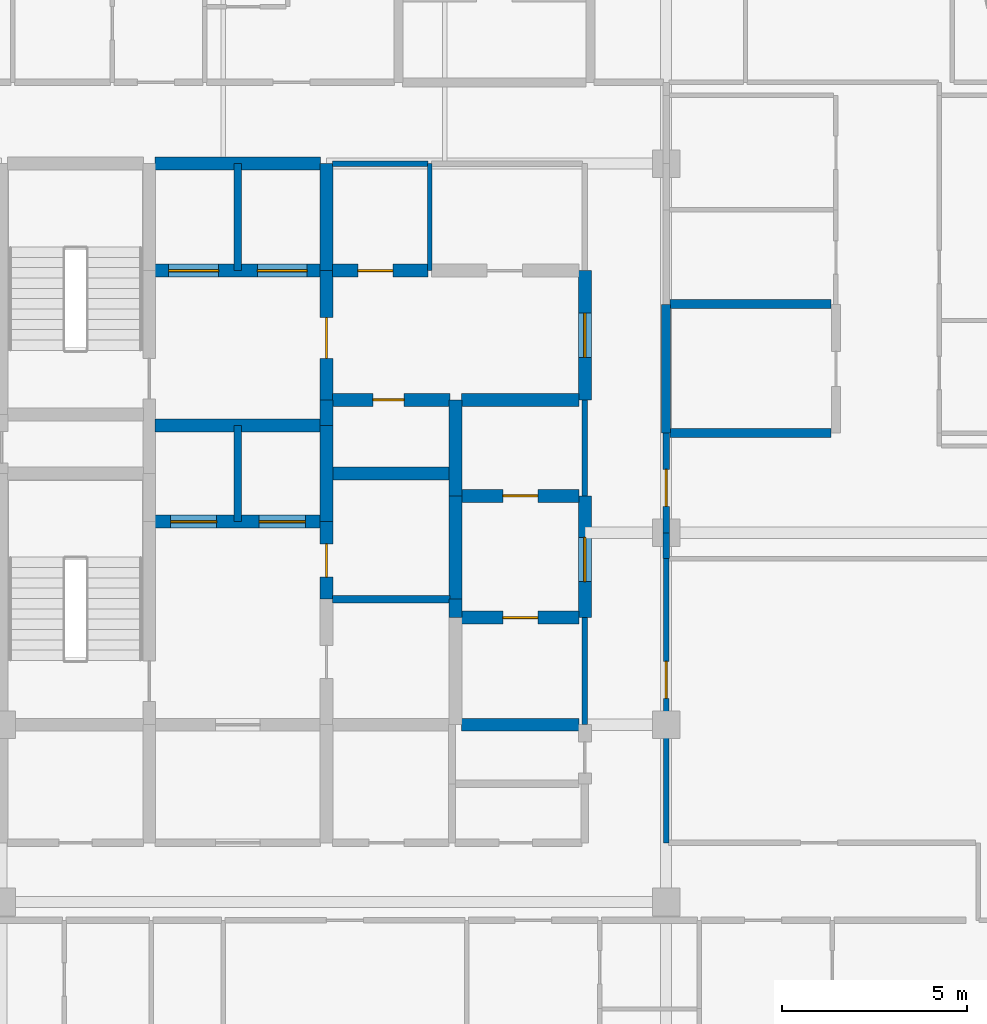
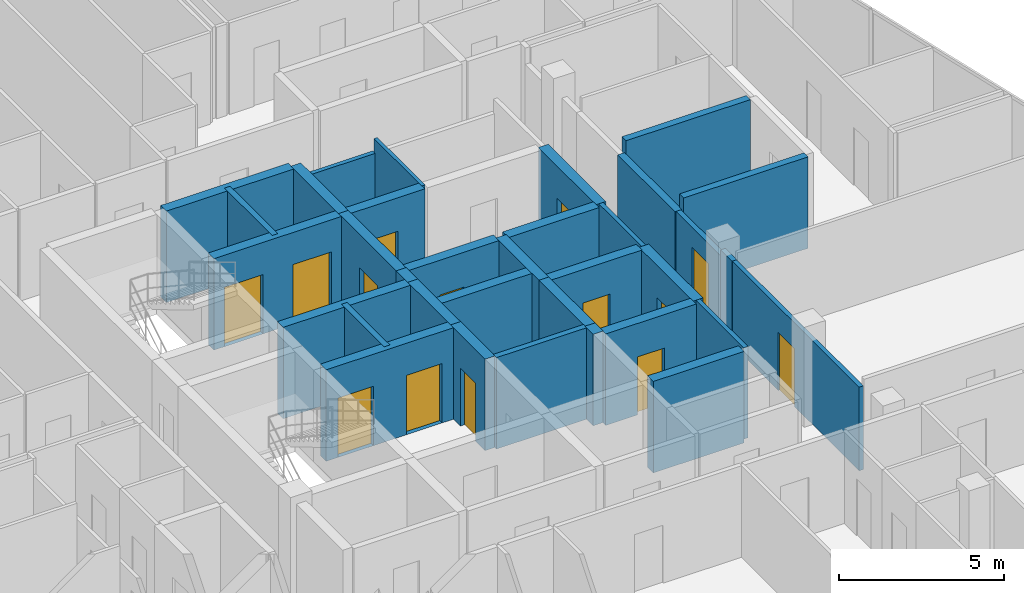
# One storey, part 27 of 31: 34 walls, 14 doors, 14 openings.
"""IFC4 building model written with IfcOpenShell, lengths in metres."""

from ifc_helpers import new_model, si_unit, direction, frame, frame_2d, origin, place, context, subcontext, project, spatial, rectangle, extrude, material, layer, layer_set, type_object, element, fill, save


model = new_model("IFC4")

# Units and contexts
model_context = context("Model", 3, precision=1e-05, world=origin(), true_north=direction((0.0, 1.0)))
body_context = subcontext(model_context, "Body", "Model", "MODEL_VIEW")
ifc_project = project(units=[si_unit("LENGTHUNIT", "METRE"), si_unit("AREAUNIT", "SQUARE_METRE"), si_unit("VOLUMEUNIT", "CUBIC_METRE"), si_unit("PLANEANGLEUNIT", "RADIAN"), si_unit("MASSUNIT", "GRAM", prefix="KILO")], contexts=[model_context])

# Site, building, storey
site_placement = place(None, origin())
site = spatial("IfcSite", under=ifc_project, at=site_placement, CompositionType="ELEMENT")
building_placement = place(site_placement, origin())
building = spatial("IfcBuilding", under=site, at=building_placement, Name="Keshet Zoharim Tower", CompositionType="ELEMENT")
storey_placement = place(building_placement, frame((0.0, 0.0, 276.89990234375)))
storey = spatial("IfcBuildingStorey", under=building, at=storey_placement, Name="L69", CompositionType="ELEMENT", Elevation=276.89990234375)

# Walls
ifc_material_1 = material(Name="Gypsum Plasterboard", Category="gypsum")
ifc_layer_1 = layer(ifc_material_1, 0.14990234375)
ifc_layer_set_1 = layer_set([ifc_layer_1], Name="Gypsum Plasterboard")
wall_type_1 = type_object("IfcWallType", Name="WL-CLIN-150", PredefinedType="STANDARD", material=ifc_layer_set_1)
wall_1_placement = place(storey_placement, frame((30.800048828125, 22.699951171875, 0.0), z_axis=(0.0, 0.0, 1.0), x_axis=(0.0, 1.0, 0.0)))
element("IfcWall", 1, at=wall_1_placement, inside=storey, type_object=wall_type_1, Name="L69 Interior Wall 063", PredefinedType="STANDARD", context=body_context, shape_type="SweptSolid", body=[
    extrude(rectangle(XDim=2.900146484375, YDim=0.14990234375, at=frame_2d((1.4501953125, 0.0))), origin(), (0.0, 0.0, 1.0), 3.39013671875),
])
wall_2_placement = place(storey_placement, frame((30.800048828125, 28.89990234375, 0.0), z_axis=(0.0, 0.0, 1.0), x_axis=(0.0, 1.0, 0.0)))
element("IfcWall", 2, at=wall_2_placement, inside=storey, type_object=wall_type_1, Name="L69 Interior Wall 065", PredefinedType="STANDARD", context=body_context, shape_type="SweptSolid", body=[
    extrude(rectangle(XDim=2.60009765625, YDim=0.14990234375, at=frame_2d((1.300048828125, 0.0))), origin(), (0.0, 0.0, 1.0), 3.39013671875),
])

# Wall, opening, door
wall_3_placement = place(storey_placement, frame((33.0, 19.5, 0.0), z_axis=(0.0, 0.0, 1.0), x_axis=(0.0, 1.0, 0.0)))
wall_3 = element("IfcWall", 3, at=wall_3_placement, inside=storey, type_object=wall_type_1, Name="L69 Interior Wall 072", PredefinedType="STANDARD", context=body_context, shape_type="SweptSolid", body=[
    extrude(rectangle(XDim=7.699951171875, YDim=0.14990234375, at=frame_2d((3.85009765625, 0.0))), origin(), (0.0, 0.0, 1.0), 3.10009765625),
])
opening_1_placement = place(wall_3_placement, frame((3.9130859375, 0.0, 0.0)))
opening_1 = element("IfcOpeningElement", 4, at=opening_1_placement, cuts=wall_3, Name="Opening D-F310", PredefinedType="OPENING", context=body_context, shape_type="SweptSolid", body=[
    extrude(rectangle(XDim=1.0, YDim=2.14990234375, at=frame_2d((0.5, 1.074951171875))), frame((0.0, 0.0849609375, 0.0), z_axis=(0.0, -1.0, 0.0), x_axis=(1.0, 0.0, 0.0)), (0.0, 0.0, 1.0), 0.169921875),
])
ifc_material_2 = material(Name="Hardwood Timber", Category="wood")
door_type_1 = type_object("IfcDoorType", Name="DR-FD30-100", OperationType="NOTDEFINED", PredefinedType="DOOR", material=ifc_material_2)
door_1_placement = place(opening_1_placement, origin())
door_1 = element("IfcDoor", 5, at=door_1_placement, inside=storey, type_object=door_type_1, Name="L69 South West Residents Services Suite Door 2", OperationType="SINGLE_SWING_RIGHT", OverallHeight=2.14990234375, OverallWidth=1.0, PredefinedType="DOOR", context=body_context, shape_type="SweptSolid", body=[
    extrude(rectangle(XDim=1.0, YDim=2.14990234375, at=frame_2d((0.5, 1.074951171875))), frame((0.0, 0.02490234375, 0.0), z_axis=(0.0, -1.0, 0.0), x_axis=(1.0, 0.0, 0.0)), (0.0, 0.0, 1.0), 0.050048828125),
])
fill(opening_1, door_1)

# Wall
wall_4_placement = place(storey_placement, frame((23.9599609375, 37.89990234375, 0.0), z_axis=(0.0, 0.0, 1.0), x_axis=(1.0, 0.0, 0.0)))
element("IfcWall", 6, at=wall_4_placement, inside=storey, type_object=wall_type_1, Name="L69 Interior Wall 157", PredefinedType="STANDARD", context=body_context, shape_type="SweptSolid", body=[
    extrude(rectangle(XDim=2.594970703125, YDim=0.14990234375, at=frame_2d((1.29736328125, 0.0))), origin(), (0.0, 0.0, 1.0), 2.89013671875),
])

# Wall, opening, door
ifc_material_3 = material(Name="Concrete C60/75", Category="concrete")
ifc_layer_2 = layer(ifc_material_3, 0.35009765625)
ifc_layer_set_2 = layer_set([ifc_layer_2], Name="Concrete C60/75")
wall_type_2 = type_object("IfcWallType", Name="WL-CORE-350", PredefinedType="SHEAR", material=ifc_layer_set_2)
wall_5_placement = place(storey_placement, frame((23.800048828125, 26.10009765625, 0.0), z_axis=(0.0, 0.0, 1.0), x_axis=(0.0, 1.0, 0.0)))
wall_5 = element("IfcWall", 7, at=wall_5_placement, inside=storey, type_object=wall_type_2, Name="L69 Core Shear Wall 042", PredefinedType="SHEAR", context=body_context, shape_type="SweptSolid", body=[
    extrude(rectangle(XDim=2.099853515625, YDim=0.35009765625, at=frame_2d((1.0498046875, 0.0))), origin(), (0.0, 0.0, 1.0), 3.39013671875),
])
opening_2_placement = place(wall_5_placement, frame((0.60009765625, 0.0, 0.0)))
opening_2 = element("IfcOpeningElement", 8, at=opening_2_placement, cuts=wall_5, Name="Opening D-F690", PredefinedType="OPENING", context=body_context, shape_type="SweptSolid", body=[
    extrude(rectangle(XDim=0.89990234375, YDim=2.14990234375, at=frame_2d((0.449951171875, 1.074951171875))), frame((0.0, 0.18505859375, 0.0), z_axis=(0.0, -1.0, 0.0), x_axis=(1.0, 0.0, 0.0)), (0.0, 0.0, 1.0), 0.3701171875),
])
door_type_2 = type_object("IfcDoorType", Name="DR-FD60-090", OperationType="NOTDEFINED", PredefinedType="DOOR", material=ifc_material_2)
door_2_placement = place(opening_2_placement, origin())
door_2 = element("IfcDoor", 9, at=door_2_placement, inside=storey, type_object=door_type_2, Name="L69 Core Electrical Room Door", OperationType="SINGLE_SWING_RIGHT", OverallHeight=2.14990234375, OverallWidth=0.89990234375, PredefinedType="DOOR", context=body_context, shape_type="SweptSolid", body=[
    extrude(rectangle(XDim=0.89990234375, YDim=2.14990234375, at=frame_2d((0.449951171875, 1.074951171875))), frame((0.0, 0.02490234375, 0.0), z_axis=(0.0, -1.0, 0.0), x_axis=(1.0, 0.0, 0.0)), (0.0, 0.0, 1.0), 0.050048828125),
])
fill(opening_2, door_2)

# Walls
wall_6_placement = place(storey_placement, frame((23.800048828125, 28.199951171875, 0.0), z_axis=(0.0, 0.0, 1.0), x_axis=(0.0, 1.0, 0.0)))
element("IfcWall", 10, at=wall_6_placement, inside=storey, type_object=wall_type_2, Name="L69 Core Shear Wall 043", PredefinedType="SHEAR", context=body_context, shape_type="SweptSolid", body=[
    extrude(rectangle(XDim=2.60009765625, YDim=0.35009765625, at=frame_2d((1.300048828125, 0.0))), origin(), (0.0, 0.0, 1.0), 3.39013671875),
])
wall_7_placement = place(storey_placement, frame((23.800048828125, 30.800048828125, 0.0), z_axis=(0.0, 0.0, 1.0), x_axis=(0.0, 1.0, 0.0)))
element("IfcWall", 11, at=wall_7_placement, inside=storey, type_object=wall_type_2, Name="L69 Core Shear Wall 044", PredefinedType="SHEAR", context=body_context, shape_type="SweptSolid", body=[
    extrude(rectangle(XDim=0.699951171875, YDim=0.35009765625, at=frame_2d((0.35009765625, 0.0))), origin(), (0.0, 0.0, 1.0), 3.39013671875),
])

# Wall, opening, door
wall_8_placement = place(storey_placement, frame((23.800048828125, 31.5, 0.0), z_axis=(0.0, 0.0, 1.0), x_axis=(0.0, 1.0, 0.0)))
wall_8 = element("IfcWall", 12, at=wall_8_placement, inside=storey, type_object=wall_type_2, Name="L69 Core Shear Wall 045", PredefinedType="SHEAR", context=body_context, shape_type="SweptSolid", body=[
    extrude(rectangle(XDim=3.5, YDim=0.35009765625, at=frame_2d((1.75, 0.0))), origin(), (0.0, 0.0, 1.0), 3.39013671875),
])
opening_3_placement = place(wall_8_placement, frame((1.126953125, 0.0, 0.0)))
opening_3 = element("IfcOpeningElement", 13, at=opening_3_placement, cuts=wall_8, Name="Opening D-F611", PredefinedType="OPENING", context=body_context, shape_type="SweptSolid", body=[
    extrude(rectangle(XDim=1.10009765625, YDim=2.14990234375, at=frame_2d((0.550048828125, 1.074951171875))), frame((0.0, 0.18505859375, 0.0), z_axis=(0.0, -1.0, 0.0), x_axis=(1.0, 0.0, 0.0)), (0.0, 0.0, 1.0), 0.3701171875),
])
door_type_3 = type_object("IfcDoorType", Name="DR-FD60-110", OperationType="NOTDEFINED", PredefinedType="DOOR", material=ifc_material_2)
door_3_placement = place(opening_3_placement, origin())
door_3 = element("IfcDoor", 14, at=door_3_placement, inside=storey, type_object=door_type_3, Name="L69 Firefighting Lobby Fire Door", OperationType="SINGLE_SWING_LEFT", OverallHeight=2.14990234375, OverallWidth=1.10009765625, PredefinedType="DOOR", context=body_context, shape_type="SweptSolid", body=[
    extrude(rectangle(XDim=1.10009765625, YDim=2.14990234375, at=frame_2d((0.550048828125, 1.074951171875))), frame((0.0, 0.02490234375, 0.0), z_axis=(0.0, -1.0, 0.0), x_axis=(1.0, 0.0, 0.0)), (0.0, 0.0, 1.0), 0.050048828125),
])
fill(opening_3, door_3)

# Walls
wall_9_placement = place(storey_placement, frame((23.800048828125, 35.0, 0.0), z_axis=(0.0, 0.0, 1.0), x_axis=(0.0, 1.0, 0.0)))
element("IfcWall", 15, at=wall_9_placement, inside=storey, type_object=wall_type_2, Name="L69 Core Shear Wall 046", PredefinedType="SHEAR", context=body_context, shape_type="SweptSolid", body=[
    extrude(rectangle(XDim=2.89990234375, YDim=0.35009765625, at=frame_2d((1.449951171875, 0.0))), origin(), (0.0, 0.0, 1.0), 3.39013671875),
])
wall_10_placement = place(storey_placement, frame((27.300048828125, 25.60009765625, 0.0), z_axis=(0.0, 0.0, 1.0), x_axis=(0.0, 1.0, 0.0)))
element("IfcWall", 16, at=wall_10_placement, inside=storey, type_object=wall_type_2, Name="L69 Core Shear Wall 055", PredefinedType="SHEAR", context=body_context, shape_type="SweptSolid", body=[
    extrude(rectangle(XDim=0.5, YDim=0.35009765625, at=frame_2d((0.25, 0.0))), origin(), (0.0, 0.0, 1.0), 3.39013671875),
])
wall_11_placement = place(storey_placement, frame((27.300048828125, 26.10009765625, 0.0), z_axis=(0.0, 0.0, 1.0), x_axis=(0.0, 1.0, 0.0)))
element("IfcWall", 17, at=wall_11_placement, inside=storey, type_object=wall_type_2, Name="L69 Core Shear Wall 056", PredefinedType="SHEAR", context=body_context, shape_type="SweptSolid", body=[
    extrude(rectangle(XDim=2.7998046875, YDim=0.35009765625, at=frame_2d((1.39990234375, 0.0))), origin(), (0.0, 0.0, 1.0), 3.39013671875),
])
wall_12_placement = place(storey_placement, frame((27.300048828125, 28.89990234375, 0.0), z_axis=(0.0, 0.0, 1.0), x_axis=(0.0, 1.0, 0.0)))
element("IfcWall", 18, at=wall_12_placement, inside=storey, type_object=wall_type_2, Name="L69 Core Shear Wall 057", PredefinedType="SHEAR", context=body_context, shape_type="SweptSolid", body=[
    extrude(rectangle(XDim=2.60009765625, YDim=0.35009765625, at=frame_2d((1.300048828125, 0.0))), origin(), (0.0, 0.0, 1.0), 3.39013671875),
])

# Wall, opening, door
wall_13_placement = place(storey_placement, frame((30.800048828125, 25.60009765625, 0.0), z_axis=(0.0, 0.0, 1.0), x_axis=(0.0, 1.0, 0.0)))
wall_13 = element("IfcWall", 19, at=wall_13_placement, inside=storey, type_object=wall_type_2, Name="L69 Core Shear Wall 064", PredefinedType="SHEAR", context=body_context, shape_type="SweptSolid", body=[
    extrude(rectangle(XDim=3.2998046875, YDim=0.35009765625, at=frame_2d((1.64990234375, 0.0))), origin(), (0.0, 0.0, 1.0), 3.39013671875),
])
opening_4_placement = place(wall_13_placement, frame((0.97802734375, 0.0, 0.0)))
opening_4 = element("IfcOpeningElement", 20, at=opening_4_placement, cuts=wall_13, Name="Opening D-F612", PredefinedType="OPENING", context=body_context, shape_type="SweptSolid", body=[
    extrude(rectangle(XDim=1.199951171875, YDim=2.199951171875, at=frame_2d((0.60009765625, 1.10009765625))), frame((0.0, 0.18505859375, 0.0), z_axis=(0.0, -1.0, 0.0), x_axis=(1.0, 0.0, 0.0)), (0.0, 0.0, 1.0), 0.3701171875),
])
door_type_4 = type_object("IfcDoorType", Name="DR-FD60-120", OperationType="NOTDEFINED", PredefinedType="DOOR", material=ifc_material_2)
door_4_placement = place(opening_4_placement, origin())
door_4 = element("IfcDoor", 21, at=door_4_placement, inside=storey, type_object=door_type_4, Name="L69 East Lift Lobby Fire Door", OperationType="SINGLE_SWING_LEFT", OverallHeight=2.199951171875, OverallWidth=1.199951171875, PredefinedType="DOOR", context=body_context, shape_type="SweptSolid", body=[
    extrude(rectangle(XDim=1.199951171875, YDim=2.199951171875, at=frame_2d((0.60009765625, 1.10009765625))), frame((0.0, 0.02490234375, 0.0), z_axis=(0.0, -1.0, 0.0), x_axis=(1.0, 0.0, 0.0)), (0.0, 0.0, 1.0), 0.050048828125),
])
fill(opening_4, door_4)

wall_14_placement = place(storey_placement, frame((30.800048828125, 31.5, 0.0), z_axis=(0.0, 0.0, 1.0), x_axis=(0.0, 1.0, 0.0)))
wall_14 = element("IfcWall", 22, at=wall_14_placement, inside=storey, type_object=wall_type_2, Name="L69 Core Shear Wall 066", PredefinedType="SHEAR", context=body_context, shape_type="SweptSolid", body=[
    extrude(rectangle(XDim=3.5, YDim=0.35009765625, at=frame_2d((1.75, 0.0))), origin(), (0.0, 0.0, 1.0), 3.39013671875),
])
opening_5_placement = place(wall_14_placement, frame((1.14990234375, 0.0, 0.0)))
opening_5 = element("IfcOpeningElement", 23, at=opening_5_placement, cuts=wall_14, Name="Opening D-F612", PredefinedType="OPENING", context=body_context, shape_type="SweptSolid", body=[
    extrude(rectangle(XDim=1.199951171875, YDim=2.199951171875, at=frame_2d((0.60009765625, 1.10009765625))), frame((0.0, 0.18505859375, 0.0), z_axis=(0.0, -1.0, 0.0), x_axis=(1.0, 0.0, 0.0)), (0.0, 0.0, 1.0), 0.3701171875),
])
door_5_placement = place(opening_5_placement, origin())
door_5 = element("IfcDoor", 24, at=door_5_placement, inside=storey, type_object=door_type_4, Name="L69 North Lift Lobby East Fire Door", OperationType="SINGLE_SWING_RIGHT", OverallHeight=2.199951171875, OverallWidth=1.199951171875, PredefinedType="DOOR", context=body_context, shape_type="SweptSolid", body=[
    extrude(rectangle(XDim=1.199951171875, YDim=2.199951171875, at=frame_2d((0.60009765625, 1.10009765625))), frame((0.0, 0.02490234375, 0.0), z_axis=(0.0, -1.0, 0.0), x_axis=(1.0, 0.0, 0.0)), (0.0, 0.0, 1.0), 0.050048828125),
])
fill(opening_5, door_5)

# Wall
wall_15_placement = place(storey_placement, frame((27.4599609375, 22.699951171875, 0.0), z_axis=(0.0, 0.0, 1.0), x_axis=(1.0, 0.0, 0.0)))
element("IfcWall", 25, at=wall_15_placement, inside=storey, type_object=wall_type_2, Name="L69 Core Shear Wall 124", PredefinedType="SHEAR", context=body_context, shape_type="SweptSolid", body=[
    extrude(rectangle(XDim=3.179931640625, YDim=0.35009765625, at=frame_2d((1.58984375, 0.0))), origin(), (0.0, 0.0, 1.0), 3.39013671875),
])

# Wall, opening, door
wall_16_placement = place(storey_placement, frame((27.4599609375, 25.60009765625, 0.0), z_axis=(0.0, 0.0, 1.0), x_axis=(1.0, 0.0, 0.0)))
wall_16 = element("IfcWall", 26, at=wall_16_placement, inside=storey, type_object=wall_type_2, Name="L69 Core Shear Wall 127", PredefinedType="SHEAR", context=body_context, shape_type="SweptSolid", body=[
    extrude(rectangle(XDim=3.179931640625, YDim=0.35009765625, at=frame_2d((1.58984375, 0.0))), origin(), (0.0, 0.0, 1.0), 3.39013671875),
])
opening_6_placement = place(wall_16_placement, frame((1.114990234375, 0.0, 0.0)))
opening_6 = element("IfcOpeningElement", 27, at=opening_6_placement, cuts=wall_16, Name="Opening D-F695", PredefinedType="OPENING", context=body_context, shape_type="SweptSolid", body=[
    extrude(rectangle(XDim=0.949951171875, YDim=2.14990234375, at=frame_2d((0.47509765625, 1.074951171875))), frame((0.0, 0.18505859375, 0.0), z_axis=(0.0, -1.0, 0.0), x_axis=(1.0, 0.0, 0.0)), (0.0, 0.0, 1.0), 0.3701171875),
])
door_type_5 = type_object("IfcDoorType", Name="DR-FD60-095", OperationType="NOTDEFINED", PredefinedType="DOOR", material=ifc_material_2)
door_6_placement = place(opening_6_placement, origin())
door_6 = element("IfcDoor", 28, at=door_6_placement, inside=storey, type_object=door_type_5, Name="L69 Study Alcove Door", OperationType="SINGLE_SWING_RIGHT", OverallHeight=2.14990234375, OverallWidth=0.949951171875, PredefinedType="DOOR", context=body_context, shape_type="SweptSolid", body=[
    extrude(rectangle(XDim=0.949951171875, YDim=2.14990234375, at=frame_2d((0.47509765625, 1.074951171875))), frame((0.0, 0.02490234375, 0.0), z_axis=(0.0, -1.0, 0.0), x_axis=(1.0, 0.0, 0.0)), (0.0, 0.0, 1.0), 0.050048828125),
])
fill(opening_6, door_6)

# Wall, openings, doors
wall_17_placement = place(storey_placement, frame((19.159912109375, 28.199951171875, 0.0), z_axis=(0.0, 0.0, 1.0), x_axis=(1.0, 0.0, 0.0)))
wall_17 = element("IfcWall", 29, at=wall_17_placement, inside=storey, type_object=wall_type_2, Name="L69 Core Shear Wall 132", PredefinedType="SHEAR", context=body_context, shape_type="SweptSolid", body=[
    extrude(rectangle(XDim=4.47998046875, YDim=0.35009765625, at=frame_2d((2.239990234375, 0.0))), origin(), (0.0, 0.0, 1.0), 3.39013671875),
])
opening_7_placement = place(wall_17_placement, frame((0.4150390625, 0.0, 0.0)))
opening_7 = element("IfcOpeningElement", 30, at=opening_7_placement, cuts=wall_17, Name="Opening LD-01", PredefinedType="OPENING", context=body_context, shape_type="SweptSolid", body=[
    extrude(rectangle(XDim=1.25, YDim=2.199951171875, at=frame_2d((0.625, 1.10009765625))), frame((0.0, 0.18505859375, 0.0), z_axis=(0.0, -1.0, 0.0), x_axis=(1.0, 0.0, 0.0)), (0.0, 0.0, 1.0), 0.3701171875),
])
opening_8_placement = place(wall_17_placement, frame((2.81494140625, 0.0, 0.0)))
opening_8 = element("IfcOpeningElement", 31, at=opening_8_placement, cuts=wall_17, Name="Opening LD-01", PredefinedType="OPENING", context=body_context, shape_type="SweptSolid", body=[
    extrude(rectangle(XDim=1.25, YDim=2.199951171875, at=frame_2d((0.625, 1.10009765625))), frame((0.0, 0.18505859375, 0.0), z_axis=(0.0, -1.0, 0.0), x_axis=(1.0, 0.0, 0.0)), (0.0, 0.0, 1.0), 0.3701171875),
])
ifc_material_4 = material(Name="Steel S355", Category="steel")
door_type_6 = type_object("IfcDoorType", Name="DR-LD01-125", OperationType="DOUBLE_DOOR_SLIDING", PredefinedType="DOOR", material=ifc_material_4)
door_7_placement = place(opening_7_placement, origin())
door_7 = element("IfcDoor", 32, at=door_7_placement, inside=storey, type_object=door_type_6, Name="L69 Passenger Lift Landing Door LF-09", OperationType="DOUBLE_DOOR_SLIDING", OverallHeight=2.199951171875, OverallWidth=1.25, PredefinedType="DOOR", context=body_context, shape_type="SweptSolid", body=[
    extrude(rectangle(XDim=1.25, YDim=2.199951171875, at=frame_2d((0.625, 1.10009765625))), frame((0.0, 0.02490234375, 0.0), z_axis=(0.0, -1.0, 0.0), x_axis=(1.0, 0.0, 0.0)), (0.0, 0.0, 1.0), 0.050048828125),
])
fill(opening_7, door_7)
door_8_placement = place(opening_8_placement, origin())
door_8 = element("IfcDoor", 33, at=door_8_placement, inside=storey, type_object=door_type_6, Name="L69 Passenger Lift Landing Door LF-10", OperationType="DOUBLE_DOOR_SLIDING", OverallHeight=2.199951171875, OverallWidth=1.25, PredefinedType="DOOR", context=body_context, shape_type="SweptSolid", body=[
    extrude(rectangle(XDim=1.25, YDim=2.199951171875, at=frame_2d((0.625, 1.10009765625))), frame((0.0, 0.02490234375, 0.0), z_axis=(0.0, -1.0, 0.0), x_axis=(1.0, 0.0, 0.0)), (0.0, 0.0, 1.0), 0.050048828125),
])
fill(opening_8, door_8)

# Wall, opening, door
wall_18_placement = place(storey_placement, frame((27.4599609375, 28.89990234375, 0.0), z_axis=(0.0, 0.0, 1.0), x_axis=(1.0, 0.0, 0.0)))
wall_18 = element("IfcWall", 34, at=wall_18_placement, inside=storey, type_object=wall_type_2, Name="L69 Core Shear Wall 137", PredefinedType="SHEAR", context=body_context, shape_type="SweptSolid", body=[
    extrude(rectangle(XDim=3.179931640625, YDim=0.35009765625, at=frame_2d((1.58984375, 0.0))), origin(), (0.0, 0.0, 1.0), 3.39013671875),
])
opening_9_placement = place(wall_18_placement, frame((1.114990234375, 0.0, 0.0)))
opening_9 = element("IfcOpeningElement", 35, at=opening_9_placement, cuts=wall_18, Name="Opening D-F695", PredefinedType="OPENING", context=body_context, shape_type="SweptSolid", body=[
    extrude(rectangle(XDim=0.949951171875, YDim=2.14990234375, at=frame_2d((0.47509765625, 1.074951171875))), frame((0.0, 0.18505859375, 0.0), z_axis=(0.0, -1.0, 0.0), x_axis=(1.0, 0.0, 0.0)), (0.0, 0.0, 1.0), 0.3701171875),
])
door_9_placement = place(opening_9_placement, frame((0.949951171875, 0.0, 0.0), z_axis=(0.0, 0.0, 1.0), x_axis=(-1.0, 0.0, 0.0)))
door_9 = element("IfcDoor", 36, at=door_9_placement, inside=storey, type_object=door_type_5, Name="L69 Parcel Store Door", OperationType="SINGLE_SWING_LEFT", OverallHeight=2.14990234375, OverallWidth=0.949951171875, PredefinedType="DOOR", context=body_context, shape_type="SweptSolid", body=[
    extrude(rectangle(XDim=0.949951171875, YDim=2.14990234375, at=frame_2d((0.47509765625, 1.074951171875))), frame((0.0, 0.02490234375, 0.0), z_axis=(0.0, -1.0, 0.0), x_axis=(1.0, 0.0, 0.0)), (0.0, 0.0, 1.0), 0.050048828125),
])
fill(opening_9, door_9)

# Walls
wall_19_placement = place(storey_placement, frame((23.9599609375, 29.5, 0.0), z_axis=(0.0, 0.0, 1.0), x_axis=(1.0, 0.0, 0.0)))
element("IfcWall", 37, at=wall_19_placement, inside=storey, type_object=wall_type_2, Name="L69 Core Shear Wall 139", PredefinedType="SHEAR", context=body_context, shape_type="SweptSolid", body=[
    extrude(rectangle(XDim=3.179931640625, YDim=0.35009765625, at=frame_2d((1.58984375, 0.0))), origin(), (0.0, 0.0, 1.0), 3.39013671875),
])
wall_20_placement = place(storey_placement, frame((19.159912109375, 30.800048828125, 0.0), z_axis=(0.0, 0.0, 1.0), x_axis=(1.0, 0.0, 0.0)))
element("IfcWall", 38, at=wall_20_placement, inside=storey, type_object=wall_type_2, Name="L69 Core Shear Wall 143", PredefinedType="SHEAR", context=body_context, shape_type="SweptSolid", body=[
    extrude(rectangle(XDim=4.47998046875, YDim=0.35009765625, at=frame_2d((2.239990234375, 0.0))), origin(), (0.0, 0.0, 1.0), 3.39013671875),
])

# Wall, opening, door
wall_21_placement = place(storey_placement, frame((23.9599609375, 31.5, 0.0), z_axis=(0.0, 0.0, 1.0), x_axis=(1.0, 0.0, 0.0)))
wall_21 = element("IfcWall", 39, at=wall_21_placement, inside=storey, type_object=wall_type_2, Name="L69 Core Shear Wall 147", PredefinedType="SHEAR", context=body_context, shape_type="SweptSolid", body=[
    extrude(rectangle(XDim=3.179931640625, YDim=0.35009765625, at=frame_2d((1.58984375, 0.0))), origin(), (0.0, 0.0, 1.0), 3.39013671875),
])
opening_10_placement = place(wall_21_placement, frame((1.093994140625, 0.0, 0.0)))
opening_10 = element("IfcOpeningElement", 40, at=opening_10_placement, cuts=wall_21, Name="Opening D-RS85", PredefinedType="OPENING", context=body_context, shape_type="SweptSolid", body=[
    extrude(rectangle(XDim=0.85009765625, YDim=2.10009765625, at=frame_2d((0.425048828125, 1.050048828125))), frame((0.0, 0.18505859375, 0.0), z_axis=(0.0, -1.0, 0.0), x_axis=(1.0, 0.0, 0.0)), (0.0, 0.0, 1.0), 0.3701171875),
])
door_type_7 = type_object("IfcDoorType", Name="DR-RIS-085", OperationType="NOTDEFINED", PredefinedType="DOOR", material=ifc_material_2)
door_10_placement = place(opening_10_placement, origin())
door_10 = element("IfcDoor", 41, at=door_10_placement, inside=storey, type_object=door_type_7, Name="L69 Telecom Riser Access Cupboard Door", OperationType="SINGLE_SWING_RIGHT", OverallHeight=2.10009765625, OverallWidth=0.85009765625, PredefinedType="DOOR", context=body_context, shape_type="SweptSolid", body=[
    extrude(rectangle(XDim=0.85009765625, YDim=2.10009765625, at=frame_2d((0.425048828125, 1.050048828125))), frame((0.0, 0.02490234375, 0.0), z_axis=(0.0, -1.0, 0.0), x_axis=(1.0, 0.0, 0.0)), (0.0, 0.0, 1.0), 0.050048828125),
])
fill(opening_10, door_10)

# Wall
wall_22_placement = place(storey_placement, frame((27.4599609375, 31.5, 0.0), z_axis=(0.0, 0.0, 1.0), x_axis=(1.0, 0.0, 0.0)))
element("IfcWall", 42, at=wall_22_placement, inside=storey, type_object=wall_type_2, Name="L69 Core Shear Wall 148", PredefinedType="SHEAR", context=body_context, shape_type="SweptSolid", body=[
    extrude(rectangle(XDim=3.179931640625, YDim=0.35009765625, at=frame_2d((1.58984375, 0.0))), origin(), (0.0, 0.0, 1.0), 3.39013671875),
])

# Wall, openings, doors
wall_23_placement = place(storey_placement, frame((19.159912109375, 35.0, 0.0), z_axis=(0.0, 0.0, 1.0), x_axis=(1.0, 0.0, 0.0)))
wall_23 = element("IfcWall", 43, at=wall_23_placement, inside=storey, type_object=wall_type_2, Name="L69 Core Shear Wall 151", PredefinedType="SHEAR", context=body_context, shape_type="SweptSolid", body=[
    extrude(rectangle(XDim=4.47998046875, YDim=0.35009765625, at=frame_2d((2.239990234375, 0.0))), origin(), (0.0, 0.0, 1.0), 3.39013671875),
])
opening_11_placement = place(wall_23_placement, frame((0.364990234375, 0.0, 0.0)))
opening_11 = element("IfcOpeningElement", 44, at=opening_11_placement, cuts=wall_23, Name="Opening LD-02", PredefinedType="OPENING", context=body_context, shape_type="SweptSolid", body=[
    extrude(rectangle(XDim=1.35009765625, YDim=2.199951171875, at=frame_2d((0.675048828125, 1.10009765625))), frame((0.0, 0.18505859375, 0.0), z_axis=(0.0, -1.0, 0.0), x_axis=(1.0, 0.0, 0.0)), (0.0, 0.0, 1.0), 0.3701171875),
])
opening_12_placement = place(wall_23_placement, frame((2.764892578125, 0.0, 0.0)))
opening_12 = element("IfcOpeningElement", 45, at=opening_12_placement, cuts=wall_23, Name="Opening LD-02", PredefinedType="OPENING", context=body_context, shape_type="SweptSolid", body=[
    extrude(rectangle(XDim=1.35009765625, YDim=2.199951171875, at=frame_2d((0.675048828125, 1.10009765625))), frame((0.0, 0.18505859375, 0.0), z_axis=(0.0, -1.0, 0.0), x_axis=(1.0, 0.0, 0.0)), (0.0, 0.0, 1.0), 0.3701171875),
])
door_type_8 = type_object("IfcDoorType", Name="DR-LD02-135", OperationType="DOUBLE_DOOR_SLIDING", PredefinedType="DOOR", material=ifc_material_4)
door_11_placement = place(opening_11_placement, origin())
door_11 = element("IfcDoor", 46, at=door_11_placement, inside=storey, type_object=door_type_8, Name="L69 Firefighting Lift Landing Door FF-01", OperationType="DOUBLE_DOOR_SLIDING", OverallHeight=2.199951171875, OverallWidth=1.35009765625, PredefinedType="DOOR", context=body_context, shape_type="SweptSolid", body=[
    extrude(rectangle(XDim=1.35009765625, YDim=2.199951171875, at=frame_2d((0.675048828125, 1.10009765625))), frame((0.0, 0.02490234375, 0.0), z_axis=(0.0, -1.0, 0.0), x_axis=(1.0, 0.0, 0.0)), (0.0, 0.0, 1.0), 0.050048828125),
])
fill(opening_11, door_11)
door_12_placement = place(opening_12_placement, origin())
door_12 = element("IfcDoor", 47, at=door_12_placement, inside=storey, type_object=door_type_8, Name="L69 Firefighting Lift Landing Door FF-02", OperationType="DOUBLE_DOOR_SLIDING", OverallHeight=2.199951171875, OverallWidth=1.35009765625, PredefinedType="DOOR", context=body_context, shape_type="SweptSolid", body=[
    extrude(rectangle(XDim=1.35009765625, YDim=2.199951171875, at=frame_2d((0.675048828125, 1.10009765625))), frame((0.0, 0.02490234375, 0.0), z_axis=(0.0, -1.0, 0.0), x_axis=(1.0, 0.0, 0.0)), (0.0, 0.0, 1.0), 0.050048828125),
])
fill(opening_12, door_12)

# Wall, opening, door
wall_24_placement = place(storey_placement, frame((23.9599609375, 35.0, 0.0), z_axis=(0.0, 0.0, 1.0), x_axis=(1.0, 0.0, 0.0)))
wall_24 = element("IfcWall", 48, at=wall_24_placement, inside=storey, type_object=wall_type_2, Name="L69 Core Shear Wall 152", PredefinedType="SHEAR", context=body_context, shape_type="SweptSolid", body=[
    extrude(rectangle(XDim=2.594970703125, YDim=0.35009765625, at=frame_2d((1.29736328125, 0.0))), origin(), (0.0, 0.0, 1.0), 3.39013671875),
])
opening_13_placement = place(wall_24_placement, frame((0.69091796875, 0.0, 0.0)))
opening_13 = element("IfcOpeningElement", 49, at=opening_13_placement, cuts=wall_24, Name="Opening D-F695", PredefinedType="OPENING", context=body_context, shape_type="SweptSolid", body=[
    extrude(rectangle(XDim=0.949951171875, YDim=2.14990234375, at=frame_2d((0.47509765625, 1.074951171875))), frame((0.0, 0.18505859375, 0.0), z_axis=(0.0, -1.0, 0.0), x_axis=(1.0, 0.0, 0.0)), (0.0, 0.0, 1.0), 0.3701171875),
])
door_13_placement = place(opening_13_placement, frame((0.949951171875, 0.0, 0.0), z_axis=(0.0, 0.0, 1.0), x_axis=(-1.0, 0.0, 0.0)))
door_13 = element("IfcDoor", 50, at=door_13_placement, inside=storey, type_object=door_type_5, Name="L69 Laundry Room Door", OperationType="SINGLE_SWING_LEFT", OverallHeight=2.14990234375, OverallWidth=0.949951171875, PredefinedType="DOOR", context=body_context, shape_type="SweptSolid", body=[
    extrude(rectangle(XDim=0.949951171875, YDim=2.14990234375, at=frame_2d((0.47509765625, 1.074951171875))), frame((0.0, 0.02490234375, 0.0), z_axis=(0.0, -1.0, 0.0), x_axis=(1.0, 0.0, 0.0)), (0.0, 0.0, 1.0), 0.050048828125),
])
fill(opening_13, door_13)

# Walls
wall_25_placement = place(storey_placement, frame((19.159912109375, 37.89990234375, 0.0), z_axis=(0.0, 0.0, 1.0), x_axis=(1.0, 0.0, 0.0)))
element("IfcWall", 51, at=wall_25_placement, inside=storey, type_object=wall_type_2, Name="L69 Core Shear Wall 156", PredefinedType="SHEAR", context=body_context, shape_type="SweptSolid", body=[
    extrude(rectangle(XDim=4.47998046875, YDim=0.35009765625, at=frame_2d((2.239990234375, 0.0))), origin(), (0.0, 0.0, 1.0), 3.39013671875),
])
ifc_layer_3 = layer(ifc_material_1, 0.179931640625)
ifc_layer_set_3 = layer_set([ifc_layer_3], Name="Gypsum Plasterboard")
wall_type_3 = type_object("IfcWallType", Name="WL-CORR-180", PredefinedType="STANDARD", material=ifc_layer_set_3)
wall_26_placement = place(storey_placement, frame((33.0, 27.199951171875, 0.0), z_axis=(0.0, 0.0, 1.0), x_axis=(0.0, 1.0, 0.0)))
element("IfcWall", 52, at=wall_26_placement, inside=storey, type_object=wall_type_3, Name="L69 Interior Wall 073", PredefinedType="STANDARD", context=body_context, shape_type="SweptSolid", body=[
    extrude(rectangle(XDim=0.699951171875, YDim=0.179931640625, at=frame_2d((0.35009765625, 0.0))), origin(), (0.0, 0.0, 1.0), 3.10009765625),
])

# Wall, opening, door
wall_27_placement = place(storey_placement, frame((33.0, 27.89990234375, 0.0), z_axis=(0.0, 0.0, 1.0), x_axis=(0.0, 1.0, 0.0)))
wall_27 = element("IfcWall", 53, at=wall_27_placement, inside=storey, type_object=wall_type_3, Name="L69 Interior Wall 073 Part 2", PredefinedType="STANDARD", context=body_context, shape_type="SweptSolid", body=[
    extrude(rectangle(XDim=2.7001953125, YDim=0.179931640625, at=frame_2d((1.35009765625, 0.0))), origin(), (0.0, 0.0, 1.0), 2.89013671875),
])
opening_14_placement = place(wall_27_placement, frame((0.718017578125, 0.0, 0.0)))
opening_14 = element("IfcOpeningElement", 54, at=opening_14_placement, cuts=wall_27, Name="Opening D-F310", PredefinedType="OPENING", context=body_context, shape_type="SweptSolid", body=[
    extrude(rectangle(XDim=1.0, YDim=2.14990234375, at=frame_2d((0.5, 1.074951171875))), frame((0.0, 0.10009765625, 0.0), z_axis=(0.0, -1.0, 0.0), x_axis=(1.0, 0.0, 0.0)), (0.0, 0.0, 1.0), 0.199951171875),
])
door_14_placement = place(opening_14_placement, origin())
door_14 = element("IfcDoor", 55, at=door_14_placement, inside=storey, type_object=door_type_1, Name="Apartment 6908 Entrance Door", OperationType="SINGLE_SWING_LEFT", OverallHeight=2.14990234375, OverallWidth=1.0, PredefinedType="DOOR", context=body_context, shape_type="SweptSolid", body=[
    extrude(rectangle(XDim=1.0, YDim=2.14990234375, at=frame_2d((0.5, 1.074951171875))), frame((0.0, 0.02490234375, 0.0), z_axis=(0.0, -1.0, 0.0), x_axis=(1.0, 0.0, 0.0)), (0.0, 0.0, 1.0), 0.050048828125),
])
fill(opening_14, door_14)

# Walls
ifc_material_5 = material(Name="Concrete C50/60", Category="concrete")
ifc_layer_4 = layer(ifc_material_5, 0.199951171875)
ifc_layer_set_4 = layer_set([ifc_layer_4], Name="Concrete C50/60")
wall_type_4 = type_object("IfcWallType", Name="WL-FIRE-200", PredefinedType="STANDARD", material=ifc_layer_set_4)
wall_28_placement = place(storey_placement, frame((21.39990234375, 28.199951171875, 0.0), z_axis=(0.0, 0.0, 1.0), x_axis=(0.0, 1.0, 0.0)))
element("IfcWall", 56, at=wall_28_placement, inside=storey, type_object=wall_type_4, Name="L69 Interior Wall 036", PredefinedType="STANDARD", context=body_context, shape_type="SweptSolid", body=[
    extrude(rectangle(XDim=2.60009765625, YDim=0.199951171875, at=frame_2d((1.300048828125, 0.0))), origin(), (0.0, 0.0, 1.0), 3.39013671875),
])
wall_29_placement = place(storey_placement, frame((21.39990234375, 35.0, 0.0), z_axis=(0.0, 0.0, 1.0), x_axis=(0.0, 1.0, 0.0)))
element("IfcWall", 57, at=wall_29_placement, inside=storey, type_object=wall_type_4, Name="L69 Interior Wall 037", PredefinedType="STANDARD", context=body_context, shape_type="SweptSolid", body=[
    extrude(rectangle(XDim=2.89990234375, YDim=0.199951171875, at=frame_2d((1.449951171875, 0.0))), origin(), (0.0, 0.0, 1.0), 3.39013671875),
])
wall_30_placement = place(storey_placement, frame((23.9599609375, 26.10009765625, 0.0), z_axis=(0.0, 0.0, 1.0), x_axis=(1.0, 0.0, 0.0)))
element("IfcWall", 58, at=wall_30_placement, inside=storey, type_object=wall_type_4, Name="L69 Interior Wall 130", PredefinedType="STANDARD", context=body_context, shape_type="SweptSolid", body=[
    extrude(rectangle(XDim=3.179931640625, YDim=0.199951171875, at=frame_2d((1.58984375, 0.0))), origin(), (0.0, 0.0, 1.0), 3.39013671875),
])
ifc_layer_5 = layer(ifc_material_5, 0.25)
ifc_layer_set_5 = layer_set([ifc_layer_5], Name="Concrete C50/60")
wall_type_5 = type_object("IfcWallType", Name="WL-MAMAD-250", PredefinedType="STANDARD", material=ifc_layer_set_5)
wall_31_placement = place(storey_placement, frame((33.0, 30.60009765625, 0.0), z_axis=(0.0, 0.0, 1.0), x_axis=(0.0, 1.0, 0.0)))
element("IfcWall", 59, at=wall_31_placement, inside=storey, type_object=wall_type_5, Name="L69 Interior Wall 074", PredefinedType="STANDARD", context=body_context, shape_type="SweptSolid", body=[
    extrude(rectangle(XDim=3.476806640625, YDim=0.25, at=frame_2d((1.73828125, 0.0))), origin(), (0.0, 0.0, 1.0), 2.89013671875),
])
for number, where, z_axis, x_axis, name in (
    (60, (33.110107421875, 30.60009765625, 0.0), (0.0, 0.0, 1.0), (1.0, 0.0, 0.0), "L69 Interior Wall 141"),
    (61, (33.110107421875, 34.10009765625, 0.0), (0.0, 0.0, 1.0), (1.0, 0.0, 0.0), "L69 Interior Wall 150"),
):
    element("IfcWall", number, at=place(storey_placement, frame(where, z_axis=z_axis, x_axis=x_axis)), inside=storey, type_object=wall_type_5, Name=name, PredefinedType="STANDARD", context=body_context, shape_type="SweptSolid", body=[
        extrude(rectangle(XDim=4.35986328125, YDim=0.25, at=frame_2d((2.179931640625, 0.0))), origin(), (0.0, 0.0, 1.0), 3.39013671875),
    ])
ifc_layer_6 = layer(ifc_material_1, 0.1201171875)
ifc_layer_set_6 = layer_set([ifc_layer_6], Name="Gypsum Plasterboard")
wall_type_6 = type_object("IfcWallType", Name="WL-PART-120", PredefinedType="PARTITIONING", material=ifc_layer_set_6)
wall_32_placement = place(storey_placement, frame((26.60009765625, 35.0, 0.0), z_axis=(0.0, 0.0, 1.0), x_axis=(0.0, 1.0, 0.0)))
element("IfcWall", 62, at=wall_32_placement, inside=storey, type_object=wall_type_6, Name="L69 Interior Wall 051", PredefinedType="PARTITIONING", context=body_context, shape_type="SweptSolid", body=[
    extrude(rectangle(XDim=2.89990234375, YDim=0.1201171875, at=frame_2d((1.449951171875, 0.0))), origin(), (0.0, 0.0, 1.0), 3.39013671875),
])

save(model, "model.ifc")
